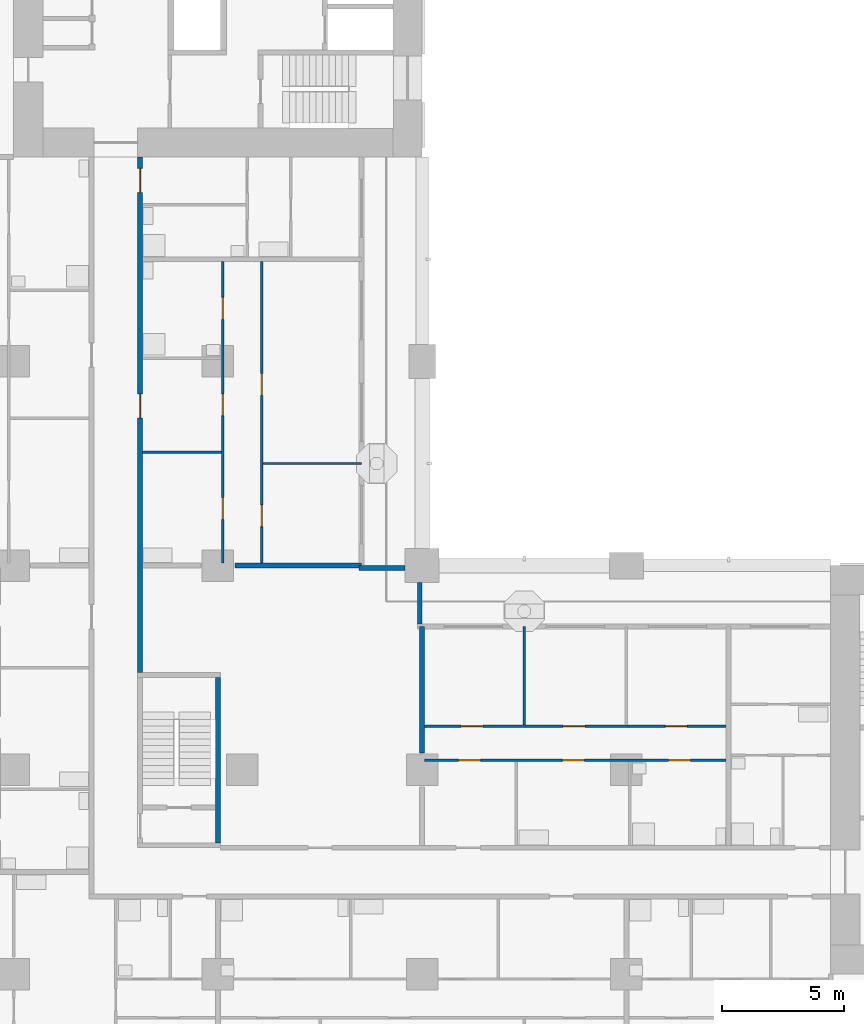
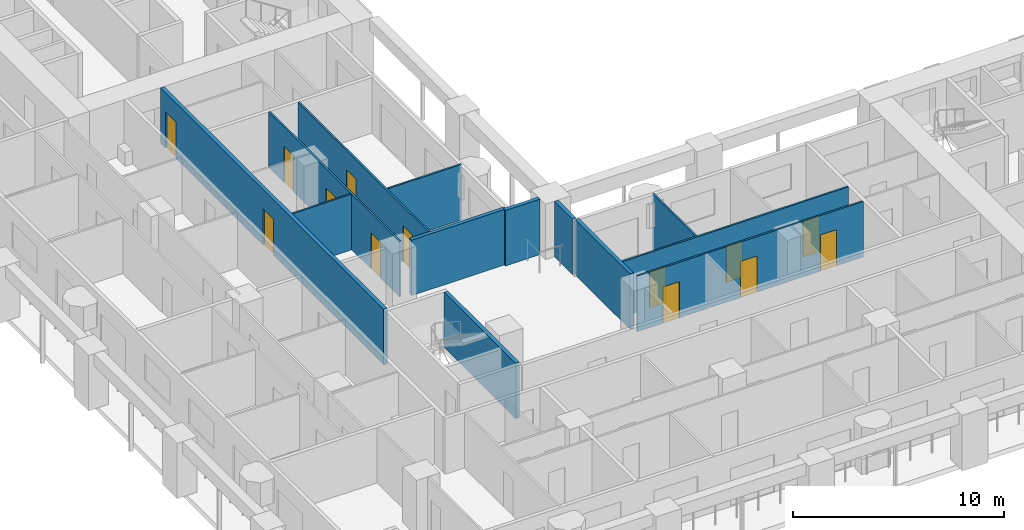
# One storey, part 4 of 20: 13 doors, 13 walls, 13 openings.
"""IFC4 building model written with IfcOpenShell, lengths in metres."""

from ifc_helpers import new_model, si_unit, direction, frame, frame_2d, origin, place, context, subcontext, project, spatial, rectangle, extrude, material, layer, layer_set, type_object, element, fill, save


model = new_model("IFC4")

# Units and contexts
model_context = context("Model", 3, precision=1e-05, world=origin(), true_north=direction((0.0, 1.0)))
body_context = subcontext(model_context, "Body", "Model", "MODEL_VIEW")
ifc_project = project(units=[si_unit("LENGTHUNIT", "METRE"), si_unit("AREAUNIT", "SQUARE_METRE"), si_unit("VOLUMEUNIT", "CUBIC_METRE"), si_unit("PLANEANGLEUNIT", "RADIAN"), si_unit("MASSUNIT", "GRAM", prefix="KILO")], contexts=[model_context])

# Site, building, storey
site_placement = place(None, origin())
site = spatial("IfcSite", under=ifc_project, at=site_placement, CompositionType="ELEMENT")
building_placement = place(site_placement, origin())
building = spatial("IfcBuilding", under=site, at=building_placement, Name="Vermilion Gate Residences", CompositionType="ELEMENT")
storey_placement = place(building_placement, frame((0.0, 0.0, 35.699951171875)))
storey = spatial("IfcBuildingStorey", under=building, at=storey_placement, Name="L07", CompositionType="ELEMENT", Elevation=35.699951171875)

# Walls
ifc_material_1 = material(Name="Insulated steel stud wall with terracotta rainscreen", Category="masonry")
ifc_layer_1 = layer(ifc_material_1, 0.199951171875)
ifc_layer_set_1 = layer_set([ifc_layer_1], Name="EXTERNAL WALL 200 TERRACOTTA RAINSCREEN")
wall_type_1 = type_object("IfcWallType", Name="EXTERNAL WALL 200 TERRACOTTA RAINSCREEN", PredefinedType="SOLIDWALL", material=ifc_layer_set_1)
wall_1_placement = place(storey_placement, frame((25.10009765625, 22.800048828125, 0.0), z_axis=(0.0, 0.0, 1.0), x_axis=(0.0, 1.0, 0.0)))
element("IfcWall", 1, at=wall_1_placement, inside=storey, type_object=wall_type_1, Name="External wall", PredefinedType="SOLIDWALL", context=body_context, shape_type="SweptSolid", body=[
    extrude(rectangle(XDim=1.699951171875, YDim=0.199951171875, at=frame_2d((0.85009765625, 0.0))), origin(), (0.0, 0.0, 1.0), 3.219970703125),
])
wall_2_placement = place(storey_placement, frame((24.5, 25.10009765625, 0.0), z_axis=(0.0, 0.0, 1.0), x_axis=(-1.0, 0.0, 0.0)))
element("IfcWall", 2, at=wall_2_placement, inside=storey, type_object=wall_type_1, Name="External wall", PredefinedType="SOLIDWALL", context=body_context, shape_type="SweptSolid", body=[
    extrude(rectangle(XDim=1.89990234375, YDim=0.199951171875, at=frame_2d((0.949951171875, 0.0))), origin(), (0.0, 0.0, 1.0), 3.219970703125),
])

# Wall, openings, doors
ifc_material_2 = material(Name="Plasterboard on steel studs", Category="steel")
ifc_layer_2 = layer(ifc_material_2, 0.10009765625)
ifc_layer_set_2 = layer_set([ifc_layer_2], Name="PARTITION 100")
wall_type_2 = type_object("IfcWallType", Name="PARTITION 100", PredefinedType="PARTITIONING", material=ifc_layer_set_2)
wall_3_placement = place(storey_placement, frame((25.300048828125, 17.199951171875, 0.0), z_axis=(0.0, 0.0, 1.0), x_axis=(1.0, 0.0, 0.0)))
wall_3 = element("IfcWall", 3, at=wall_3_placement, inside=storey, type_object=wall_type_2, Name="Partition", PredefinedType="PARTITIONING", context=body_context, shape_type="SweptSolid", body=[
    extrude(rectangle(XDim=12.39990234375, YDim=0.10009765625, at=frame_2d((6.199951171875, 0.0))), origin(), (0.0, 0.0, 1.0), 3.219970703125),
])
opening_1_placement = place(wall_3_placement, frame((1.39990234375, 0.0, 0.0)))
opening_1 = element("IfcOpeningElement", 4, at=opening_1_placement, cuts=wall_3, Name="Opening DA07027", PredefinedType="OPENING", context=body_context, shape_type="SweptSolid", body=[
    extrude(rectangle(XDim=0.89990234375, YDim=2.10009765625, at=frame_2d((0.449951171875, 1.050048828125))), frame((0.0, 0.06005859375, 0.0), z_axis=(0.0, -1.0, 0.0), x_axis=(1.0, 0.0, 0.0)), (0.0, 0.0, 1.0), 0.1201171875),
])
opening_2_placement = place(wall_3_placement, frame((5.6669921875, 0.0, 0.0)))
opening_2 = element("IfcOpeningElement", 5, at=opening_2_placement, cuts=wall_3, Name="Opening DA07028", PredefinedType="OPENING", context=body_context, shape_type="SweptSolid", body=[
    extrude(rectangle(XDim=0.89990234375, YDim=2.10009765625, at=frame_2d((0.449951171875, 1.050048828125))), frame((0.0, 0.06005859375, 0.0), z_axis=(0.0, -1.0, 0.0), x_axis=(1.0, 0.0, 0.0)), (0.0, 0.0, 1.0), 0.1201171875),
])
opening_3_placement = place(wall_3_placement, frame((10.032958984375, 0.0, 0.0)))
opening_3 = element("IfcOpeningElement", 6, at=opening_3_placement, cuts=wall_3, Name="Opening DA07029", PredefinedType="OPENING", context=body_context, shape_type="SweptSolid", body=[
    extrude(rectangle(XDim=0.89990234375, YDim=2.10009765625, at=frame_2d((0.449951171875, 1.050048828125))), frame((0.0, 0.06005859375, 0.0), z_axis=(0.0, -1.0, 0.0), x_axis=(1.0, 0.0, 0.0)), (0.0, 0.0, 1.0), 0.1201171875),
])
ifc_material_3 = material(Name="Timber", Category="wood")
door_type_1 = type_object("IfcDoorType", Name="INTERIOR DOOR 900 X 2100", OperationType="SINGLE_SWING_LEFT", PredefinedType="DOOR", material=ifc_material_3)
door_1_placement = place(opening_1_placement, frame((0.89990234375, 0.0, 0.0), z_axis=(0.0, 0.0, 1.0), x_axis=(-1.0, 0.0, 0.0)))
door_1 = element("IfcDoor", 7, at=door_1_placement, inside=storey, type_object=door_type_1, Name="Interior door", OperationType="SINGLE_SWING_RIGHT", OverallHeight=2.10009765625, OverallWidth=0.89990234375, PredefinedType="DOOR", context=body_context, shape_type="SweptSolid", body=[
    extrude(rectangle(XDim=0.89990234375, YDim=2.10009765625, at=frame_2d((0.449951171875, 1.050048828125))), frame((0.0, 0.02490234375, 0.0), z_axis=(0.0, -1.0, 0.0), x_axis=(1.0, 0.0, 0.0)), (0.0, 0.0, 1.0), 0.050048828125),
])
fill(opening_1, door_1)
door_2_placement = place(opening_2_placement, frame((0.89990234375, 0.0, 0.0), z_axis=(0.0, 0.0, 1.0), x_axis=(-1.0, 0.0, 0.0)))
door_2 = element("IfcDoor", 8, at=door_2_placement, inside=storey, type_object=door_type_1, Name="Interior door", OperationType="SINGLE_SWING_LEFT", OverallHeight=2.10009765625, OverallWidth=0.89990234375, PredefinedType="DOOR", context=body_context, shape_type="SweptSolid", body=[
    extrude(rectangle(XDim=0.89990234375, YDim=2.10009765625, at=frame_2d((0.449951171875, 1.050048828125))), frame((0.0, 0.02490234375, 0.0), z_axis=(0.0, -1.0, 0.0), x_axis=(1.0, 0.0, 0.0)), (0.0, 0.0, 1.0), 0.050048828125),
])
fill(opening_2, door_2)
door_3_placement = place(opening_3_placement, frame((0.89990234375, 0.0, 0.0), z_axis=(0.0, 0.0, 1.0), x_axis=(-1.0, 0.0, 0.0)))
door_3 = element("IfcDoor", 9, at=door_3_placement, inside=storey, type_object=door_type_1, Name="Interior door", OperationType="SINGLE_SWING_RIGHT", OverallHeight=2.10009765625, OverallWidth=0.89990234375, PredefinedType="DOOR", context=body_context, shape_type="SweptSolid", body=[
    extrude(rectangle(XDim=0.89990234375, YDim=2.10009765625, at=frame_2d((0.449951171875, 1.050048828125))), frame((0.0, 0.02490234375, 0.0), z_axis=(0.0, -1.0, 0.0), x_axis=(1.0, 0.0, 0.0)), (0.0, 0.0, 1.0), 0.050048828125),
])
fill(opening_3, door_3)

wall_4_placement = place(storey_placement, frame((25.300048828125, 18.60009765625, 0.0), z_axis=(0.0, 0.0, 1.0), x_axis=(1.0, 0.0, 0.0)))
wall_4 = element("IfcWall", 10, at=wall_4_placement, inside=storey, type_object=wall_type_2, Name="Partition", PredefinedType="PARTITIONING", context=body_context, shape_type="SweptSolid", body=[
    extrude(rectangle(XDim=12.39990234375, YDim=0.10009765625, at=frame_2d((6.199951171875, 0.0))), origin(), (0.0, 0.0, 1.0), 3.219970703125),
])
opening_4_placement = place(wall_4_placement, frame((1.5, 0.0, 0.0)))
opening_4 = element("IfcOpeningElement", 11, at=opening_4_placement, cuts=wall_4, Name="Opening DA07032", PredefinedType="OPENING", context=body_context, shape_type="SweptSolid", body=[
    extrude(rectangle(XDim=0.89990234375, YDim=2.10009765625, at=frame_2d((0.449951171875, 1.050048828125))), frame((0.0, 0.06005859375, 0.0), z_axis=(0.0, -1.0, 0.0), x_axis=(1.0, 0.0, 0.0)), (0.0, 0.0, 1.0), 0.1201171875),
])
opening_5_placement = place(wall_4_placement, frame((5.699951171875, 0.0, 0.0)))
opening_5 = element("IfcOpeningElement", 12, at=opening_5_placement, cuts=wall_4, Name="Opening DA07033", PredefinedType="OPENING", context=body_context, shape_type="SweptSolid", body=[
    extrude(rectangle(XDim=0.89990234375, YDim=2.10009765625, at=frame_2d((0.449951171875, 1.050048828125))), frame((0.0, 0.06005859375, 0.0), z_axis=(0.0, -1.0, 0.0), x_axis=(1.0, 0.0, 0.0)), (0.0, 0.0, 1.0), 0.1201171875),
])
opening_6_placement = place(wall_4_placement, frame((9.89990234375, 0.0, 0.0)))
opening_6 = element("IfcOpeningElement", 13, at=opening_6_placement, cuts=wall_4, Name="Opening DA07034", PredefinedType="OPENING", context=body_context, shape_type="SweptSolid", body=[
    extrude(rectangle(XDim=0.89990234375, YDim=2.10009765625, at=frame_2d((0.449951171875, 1.050048828125))), frame((0.0, 0.06005859375, 0.0), z_axis=(0.0, -1.0, 0.0), x_axis=(1.0, 0.0, 0.0)), (0.0, 0.0, 1.0), 0.1201171875),
])
door_4_placement = place(opening_4_placement, origin())
door_4 = element("IfcDoor", 14, at=door_4_placement, inside=storey, type_object=door_type_1, Name="Interior door", OperationType="SINGLE_SWING_LEFT", OverallHeight=2.10009765625, OverallWidth=0.89990234375, PredefinedType="DOOR", context=body_context, shape_type="SweptSolid", body=[
    extrude(rectangle(XDim=0.89990234375, YDim=2.10009765625, at=frame_2d((0.449951171875, 1.050048828125))), frame((0.0, 0.02490234375, 0.0), z_axis=(0.0, -1.0, 0.0), x_axis=(1.0, 0.0, 0.0)), (0.0, 0.0, 1.0), 0.050048828125),
])
fill(opening_4, door_4)
door_5_placement = place(opening_5_placement, origin())
door_5 = element("IfcDoor", 15, at=door_5_placement, inside=storey, type_object=door_type_1, Name="Interior door", OperationType="SINGLE_SWING_LEFT", OverallHeight=2.10009765625, OverallWidth=0.89990234375, PredefinedType="DOOR", context=body_context, shape_type="SweptSolid", body=[
    extrude(rectangle(XDim=0.89990234375, YDim=2.10009765625, at=frame_2d((0.449951171875, 1.050048828125))), frame((0.0, 0.02490234375, 0.0), z_axis=(0.0, -1.0, 0.0), x_axis=(1.0, 0.0, 0.0)), (0.0, 0.0, 1.0), 0.050048828125),
])
fill(opening_5, door_5)
door_6_placement = place(opening_6_placement, origin())
door_6 = element("IfcDoor", 16, at=door_6_placement, inside=storey, type_object=door_type_1, Name="Interior door", OperationType="SINGLE_SWING_LEFT", OverallHeight=2.10009765625, OverallWidth=0.89990234375, PredefinedType="DOOR", context=body_context, shape_type="SweptSolid", body=[
    extrude(rectangle(XDim=0.89990234375, YDim=2.10009765625, at=frame_2d((0.449951171875, 1.050048828125))), frame((0.0, 0.02490234375, 0.0), z_axis=(0.0, -1.0, 0.0), x_axis=(1.0, 0.0, 0.0)), (0.0, 0.0, 1.0), 0.050048828125),
])
fill(opening_6, door_6)

# Walls
wall_5_placement = place(storey_placement, frame((18.64990234375, 29.39990234375, 0.0), z_axis=(0.0, 0.0, 1.0), x_axis=(1.0, 0.0, 0.0)))
element("IfcWall", 17, at=wall_5_placement, inside=storey, type_object=wall_type_2, Name="Partition", PredefinedType="PARTITIONING", context=body_context, shape_type="SweptSolid", body=[
    extrude(rectangle(XDim=4.050048828125, YDim=0.10009765625, at=frame_2d((2.02490234375, 0.0))), origin(), (0.0, 0.0, 1.0), 3.219970703125),
])
wall_6_placement = place(storey_placement, frame((13.699951171875, 29.866943359375, 0.0), z_axis=(0.0, 0.0, 1.0), x_axis=(1.0, 0.0, 0.0)))
element("IfcWall", 18, at=wall_6_placement, inside=storey, type_object=wall_type_2, Name="Partition", PredefinedType="PARTITIONING", context=body_context, shape_type="SweptSolid", body=[
    extrude(rectangle(XDim=3.25, YDim=0.10009765625, at=frame_2d((1.625, 0.0))), origin(), (0.0, 0.0, 1.0), 3.219970703125),
])

# Wall, openings, doors
wall_7_placement = place(storey_placement, frame((17.0, 25.300048828125, 0.0), z_axis=(0.0, 0.0, 1.0), x_axis=(0.0, 1.0, 0.0)))
wall_7 = element("IfcWall", 19, at=wall_7_placement, inside=storey, type_object=wall_type_2, Name="Partition", PredefinedType="PARTITIONING", context=body_context, shape_type="SweptSolid", body=[
    extrude(rectangle(XDim=12.39990234375, YDim=0.10009765625, at=frame_2d((6.199951171875, 0.0))), origin(), (0.0, 0.0, 1.0), 3.219970703125),
])
opening_7_placement = place(wall_7_placement, frame((6.06689453125, 0.0, 0.0)))
opening_7 = element("IfcOpeningElement", 20, at=opening_7_placement, cuts=wall_7, Name="Opening DA07057", PredefinedType="OPENING", context=body_context, shape_type="SweptSolid", body=[
    extrude(rectangle(XDim=0.89990234375, YDim=2.10009765625, at=frame_2d((0.449951171875, 1.050048828125))), frame((0.0, 0.06005859375, 0.0), z_axis=(0.0, -1.0, 0.0), x_axis=(1.0, 0.0, 0.0)), (0.0, 0.0, 1.0), 0.1201171875),
])
opening_8_placement = place(wall_7_placement, frame((1.800048828125, 0.0, 0.0)))
opening_8 = element("IfcOpeningElement", 21, at=opening_8_placement, cuts=wall_7, Name="Opening DA07058", PredefinedType="OPENING", context=body_context, shape_type="SweptSolid", body=[
    extrude(rectangle(XDim=0.89990234375, YDim=2.10009765625, at=frame_2d((0.449951171875, 1.050048828125))), frame((0.0, 0.06005859375, 0.0), z_axis=(0.0, -1.0, 0.0), x_axis=(1.0, 0.0, 0.0)), (0.0, 0.0, 1.0), 0.1201171875),
])
opening_9_placement = place(wall_7_placement, frame((10.032958984375, 0.0, 0.0)))
opening_9 = element("IfcOpeningElement", 22, at=opening_9_placement, cuts=wall_7, Name="Opening DA07059", PredefinedType="OPENING", context=body_context, shape_type="SweptSolid", body=[
    extrude(rectangle(XDim=0.89990234375, YDim=2.10009765625, at=frame_2d((0.449951171875, 1.050048828125))), frame((0.0, 0.06005859375, 0.0), z_axis=(0.0, -1.0, 0.0), x_axis=(1.0, 0.0, 0.0)), (0.0, 0.0, 1.0), 0.1201171875),
])
door_7_placement = place(opening_7_placement, origin())
door_7 = element("IfcDoor", 23, at=door_7_placement, inside=storey, type_object=door_type_1, Name="Interior door", OperationType="SINGLE_SWING_RIGHT", OverallHeight=2.10009765625, OverallWidth=0.89990234375, PredefinedType="DOOR", context=body_context, shape_type="SweptSolid", body=[
    extrude(rectangle(XDim=0.89990234375, YDim=2.10009765625, at=frame_2d((0.449951171875, 1.050048828125))), frame((0.0, 0.02490234375, 0.0), z_axis=(0.0, -1.0, 0.0), x_axis=(1.0, 0.0, 0.0)), (0.0, 0.0, 1.0), 0.050048828125),
])
fill(opening_7, door_7)
door_8_placement = place(opening_8_placement, origin())
door_8 = element("IfcDoor", 24, at=door_8_placement, inside=storey, type_object=door_type_1, Name="Interior door", OperationType="SINGLE_SWING_LEFT", OverallHeight=2.10009765625, OverallWidth=0.89990234375, PredefinedType="DOOR", context=body_context, shape_type="SweptSolid", body=[
    extrude(rectangle(XDim=0.89990234375, YDim=2.10009765625, at=frame_2d((0.449951171875, 1.050048828125))), frame((0.0, 0.02490234375, 0.0), z_axis=(0.0, -1.0, 0.0), x_axis=(1.0, 0.0, 0.0)), (0.0, 0.0, 1.0), 0.050048828125),
])
fill(opening_8, door_8)
door_9_placement = place(opening_9_placement, origin())
door_9 = element("IfcDoor", 25, at=door_9_placement, inside=storey, type_object=door_type_1, Name="Interior door", OperationType="SINGLE_SWING_LEFT", OverallHeight=2.10009765625, OverallWidth=0.89990234375, PredefinedType="DOOR", context=body_context, shape_type="SweptSolid", body=[
    extrude(rectangle(XDim=0.89990234375, YDim=2.10009765625, at=frame_2d((0.449951171875, 1.050048828125))), frame((0.0, 0.02490234375, 0.0), z_axis=(0.0, -1.0, 0.0), x_axis=(1.0, 0.0, 0.0)), (0.0, 0.0, 1.0), 0.050048828125),
])
fill(opening_9, door_9)

wall_8_placement = place(storey_placement, frame((18.60009765625, 25.300048828125, 0.0), z_axis=(0.0, 0.0, 1.0), x_axis=(0.0, 1.0, 0.0)))
wall_8 = element("IfcWall", 26, at=wall_8_placement, inside=storey, type_object=wall_type_2, Name="Partition", PredefinedType="PARTITIONING", context=body_context, shape_type="SweptSolid", body=[
    extrude(rectangle(XDim=12.39990234375, YDim=0.10009765625, at=frame_2d((6.199951171875, 0.0))), origin(), (0.0, 0.0, 1.0), 3.219970703125),
])
opening_10_placement = place(wall_8_placement, frame((1.5, 0.0, 0.0)))
opening_10 = element("IfcOpeningElement", 27, at=opening_10_placement, cuts=wall_8, Name="Opening DA07062", PredefinedType="OPENING", context=body_context, shape_type="SweptSolid", body=[
    extrude(rectangle(XDim=0.89990234375, YDim=2.10009765625, at=frame_2d((0.449951171875, 1.050048828125))), frame((0.0, 0.06005859375, 0.0), z_axis=(0.0, -1.0, 0.0), x_axis=(1.0, 0.0, 0.0)), (0.0, 0.0, 1.0), 0.1201171875),
])
opening_11_placement = place(wall_8_placement, frame((6.89990234375, 0.0, 0.0)))
opening_11 = element("IfcOpeningElement", 28, at=opening_11_placement, cuts=wall_8, Name="Opening DA07063", PredefinedType="OPENING", context=body_context, shape_type="SweptSolid", body=[
    extrude(rectangle(XDim=0.89990234375, YDim=2.10009765625, at=frame_2d((0.449951171875, 1.050048828125))), frame((0.0, 0.06005859375, 0.0), z_axis=(0.0, -1.0, 0.0), x_axis=(1.0, 0.0, 0.0)), (0.0, 0.0, 1.0), 0.1201171875),
])
door_10_placement = place(opening_10_placement, frame((0.89990234375, 0.0, 0.0), z_axis=(0.0, 0.0, 1.0), x_axis=(-1.0, 0.0, 0.0)))
door_10 = element("IfcDoor", 29, at=door_10_placement, inside=storey, type_object=door_type_1, Name="Interior door", OperationType="SINGLE_SWING_RIGHT", OverallHeight=2.10009765625, OverallWidth=0.89990234375, PredefinedType="DOOR", context=body_context, shape_type="SweptSolid", body=[
    extrude(rectangle(XDim=0.89990234375, YDim=2.10009765625, at=frame_2d((0.449951171875, 1.050048828125))), frame((0.0, 0.02490234375, 0.0), z_axis=(0.0, -1.0, 0.0), x_axis=(1.0, 0.0, 0.0)), (0.0, 0.0, 1.0), 0.050048828125),
])
fill(opening_10, door_10)
door_11_placement = place(opening_11_placement, frame((0.89990234375, 0.0, 0.0), z_axis=(0.0, 0.0, 1.0), x_axis=(-1.0, 0.0, 0.0)))
door_11 = element("IfcDoor", 30, at=door_11_placement, inside=storey, type_object=door_type_1, Name="Interior door", OperationType="SINGLE_SWING_RIGHT", OverallHeight=2.10009765625, OverallWidth=0.89990234375, PredefinedType="DOOR", context=body_context, shape_type="SweptSolid", body=[
    extrude(rectangle(XDim=0.89990234375, YDim=2.10009765625, at=frame_2d((0.449951171875, 1.050048828125))), frame((0.0, 0.02490234375, 0.0), z_axis=(0.0, -1.0, 0.0), x_axis=(1.0, 0.0, 0.0)), (0.0, 0.0, 1.0), 0.050048828125),
])
fill(opening_11, door_11)

# Walls
wall_9_placement = place(storey_placement, frame((29.39990234375, 18.64990234375, 0.0), z_axis=(0.0, 0.0, 1.0), x_axis=(0.0, 1.0, 0.0)))
element("IfcWall", 31, at=wall_9_placement, inside=storey, type_object=wall_type_2, Name="Partition", PredefinedType="PARTITIONING", context=body_context, shape_type="SweptSolid", body=[
    extrude(rectangle(XDim=4.050048828125, YDim=0.10009765625, at=frame_2d((2.02490234375, 0.0))), origin(), (0.0, 0.0, 1.0), 3.219970703125),
])
ifc_material_4 = material(Name="Fire-rated plasterboard on steel studs", Category="steel")
ifc_layer_3 = layer(ifc_material_4, 0.199951171875)
ifc_layer_set_3 = layer_set([ifc_layer_3], Name="PARTY WALL 200 EI 120")
wall_type_3 = type_object("IfcWallType", Name="PARTY WALL 200 EI 120", PredefinedType="PARTITIONING", material=ifc_layer_set_3)
wall_10_placement = place(storey_placement, frame((17.5, 25.199951171875, 0.0), z_axis=(0.0, 0.0, 1.0), x_axis=(1.0, 0.0, 0.0)))
element("IfcWall", 32, at=wall_10_placement, inside=storey, type_object=wall_type_3, Name="Party and corridor wall", PredefinedType="PARTITIONING", context=body_context, shape_type="SweptSolid", body=[
    extrude(rectangle(XDim=5.199951171875, YDim=0.199951171875, at=frame_2d((2.60009765625, 0.0))), origin(), (0.0, 0.0, 1.0), 3.219970703125),
])

# Wall, openings, doors
wall_11_placement = place(storey_placement, frame((13.60009765625, 20.800048828125, 0.0), z_axis=(0.0, 0.0, 1.0), x_axis=(0.0, 1.0, 0.0)))
wall_11 = element("IfcWall", 33, at=wall_11_placement, inside=storey, type_object=wall_type_3, Name="Party and corridor wall", PredefinedType="PARTITIONING", context=body_context, shape_type="SweptSolid", body=[
    extrude(rectangle(XDim=21.199951171875, YDim=0.199951171875, at=frame_2d((10.60009765625, 0.0))), origin(), (0.0, 0.0, 1.0), 3.219970703125),
])
opening_12_placement = place(wall_11_placement, frame((10.467041015625, 0.0, 0.0)))
opening_12 = element("IfcOpeningElement", 34, at=opening_12_placement, cuts=wall_11, Name="Opening DA07055", PredefinedType="OPENING", context=body_context, shape_type="SweptSolid", body=[
    extrude(rectangle(XDim=1.0, YDim=2.10009765625, at=frame_2d((0.5, 1.050048828125))), frame((0.0, 0.10986328125, 0.0), z_axis=(0.0, -1.0, 0.0), x_axis=(1.0, 0.0, 0.0)), (0.0, 0.0, 1.0), 0.219970703125),
])
opening_13_placement = place(wall_11_placement, frame((19.739990234375, 0.0, 0.0)))
opening_13 = element("IfcOpeningElement", 35, at=opening_13_placement, cuts=wall_11, Name="Opening DA07056", PredefinedType="OPENING", context=body_context, shape_type="SweptSolid", body=[
    extrude(rectangle(XDim=1.0, YDim=2.10009765625, at=frame_2d((0.5, 1.050048828125))), frame((0.0, 0.10986328125, 0.0), z_axis=(0.0, -1.0, 0.0), x_axis=(1.0, 0.0, 0.0)), (0.0, 0.0, 1.0), 0.219970703125),
])
ifc_material_5 = material(Name="Steel", Category="steel")
door_type_2 = type_object("IfcDoorType", Name="ENTRANCE DOOR 1000 X 2100 FD30", OperationType="SINGLE_SWING_LEFT", PredefinedType="DOOR", material=ifc_material_5)
door_12_placement = place(opening_12_placement, frame((1.0, 0.0, 0.0), z_axis=(0.0, 0.0, 1.0), x_axis=(-1.0, 0.0, 0.0)))
door_12 = element("IfcDoor", 36, at=door_12_placement, inside=storey, type_object=door_type_2, Name="Entrance door", OperationType="SINGLE_SWING_RIGHT", OverallHeight=2.10009765625, OverallWidth=1.0, PredefinedType="DOOR", context=body_context, shape_type="SweptSolid", body=[
    extrude(rectangle(XDim=1.0, YDim=2.10009765625, at=frame_2d((0.5, 1.050048828125))), frame((0.0, 0.02490234375, 0.0), z_axis=(0.0, -1.0, 0.0), x_axis=(1.0, 0.0, 0.0)), (0.0, 0.0, 1.0), 0.050048828125),
])
fill(opening_12, door_12)
door_13_placement = place(opening_13_placement, frame((1.0, 0.0, 0.0), z_axis=(0.0, 0.0, 1.0), x_axis=(-1.0, 0.0, 0.0)))
door_13 = element("IfcDoor", 37, at=door_13_placement, inside=storey, type_object=door_type_2, Name="Entrance door", OperationType="SINGLE_SWING_RIGHT", OverallHeight=2.10009765625, OverallWidth=1.0, PredefinedType="DOOR", context=body_context, shape_type="SweptSolid", body=[
    extrude(rectangle(XDim=1.0, YDim=2.10009765625, at=frame_2d((0.5, 1.050048828125))), frame((0.0, 0.02490234375, 0.0), z_axis=(0.0, -1.0, 0.0), x_axis=(1.0, 0.0, 0.0)), (0.0, 0.0, 1.0), 0.050048828125),
])
fill(opening_13, door_13)

# Walls
wall_12_placement = place(storey_placement, frame((25.199951171875, 17.5, 0.0), z_axis=(0.0, 0.0, 1.0), x_axis=(0.0, 1.0, 0.0)))
element("IfcWall", 38, at=wall_12_placement, inside=storey, type_object=wall_type_3, Name="Party and corridor wall", PredefinedType="PARTITIONING", context=body_context, shape_type="SweptSolid", body=[
    extrude(rectangle(XDim=5.199951171875, YDim=0.199951171875, at=frame_2d((2.60009765625, 0.0))), origin(), (0.0, 0.0, 1.0), 3.219970703125),
])
ifc_material_6 = material(Name="Concrete C60", Category="concrete")
ifc_layer_4 = layer(ifc_material_6, 0.199951171875)
ifc_layer_set_4 = layer_set([ifc_layer_4], Name="RC CORE INTERNAL WALL 200 C60")
wall_type_4 = type_object("IfcWallType", Name="RC CORE INTERNAL WALL 200 C60", PredefinedType="SHEAR", material=ifc_layer_set_4)
wall_13_placement = place(storey_placement, frame((16.800048828125, 13.800048828125, 0.0), z_axis=(0.0, 0.0, 1.0), x_axis=(0.0, 1.0, 0.0)))
element("IfcWall", 39, at=wall_13_placement, inside=storey, type_object=wall_type_4, Name="Core internal wall C07-E", PredefinedType="SHEAR", context=body_context, shape_type="SweptSolid", body=[
    extrude(rectangle(XDim=6.800048828125, YDim=0.199951171875, at=frame_2d((3.39990234375, 0.0))), origin(), (0.0, 0.0, 1.0), 3.219970703125),
])

save(model, "model.ifc")
